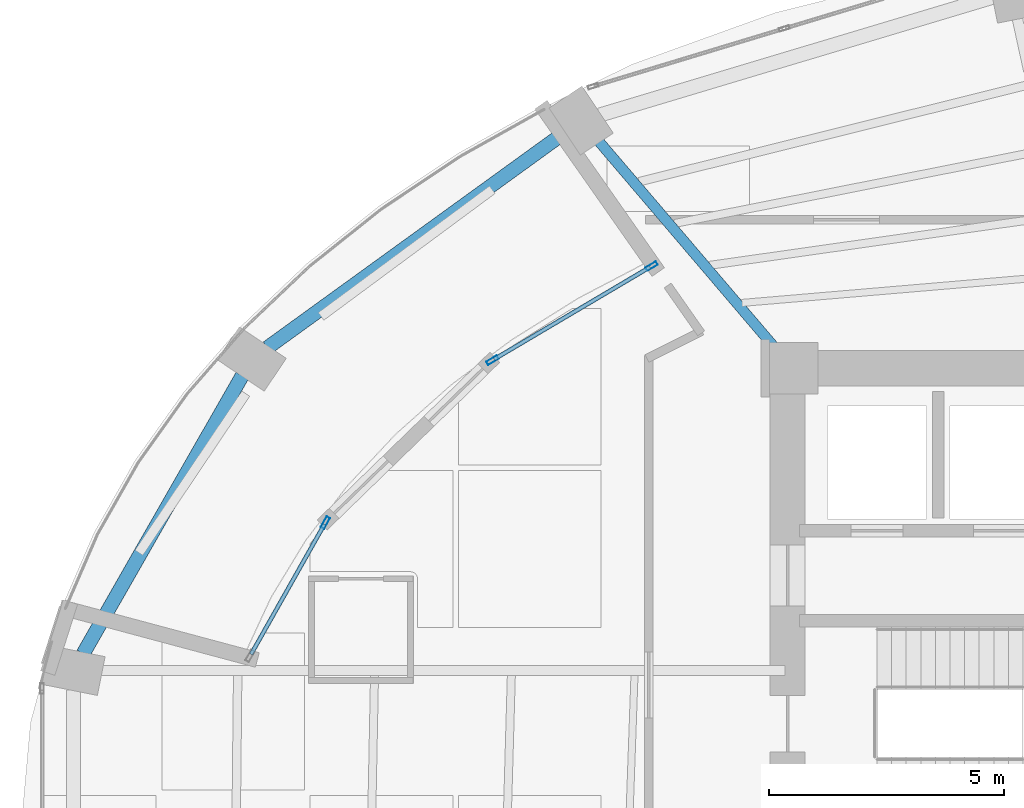
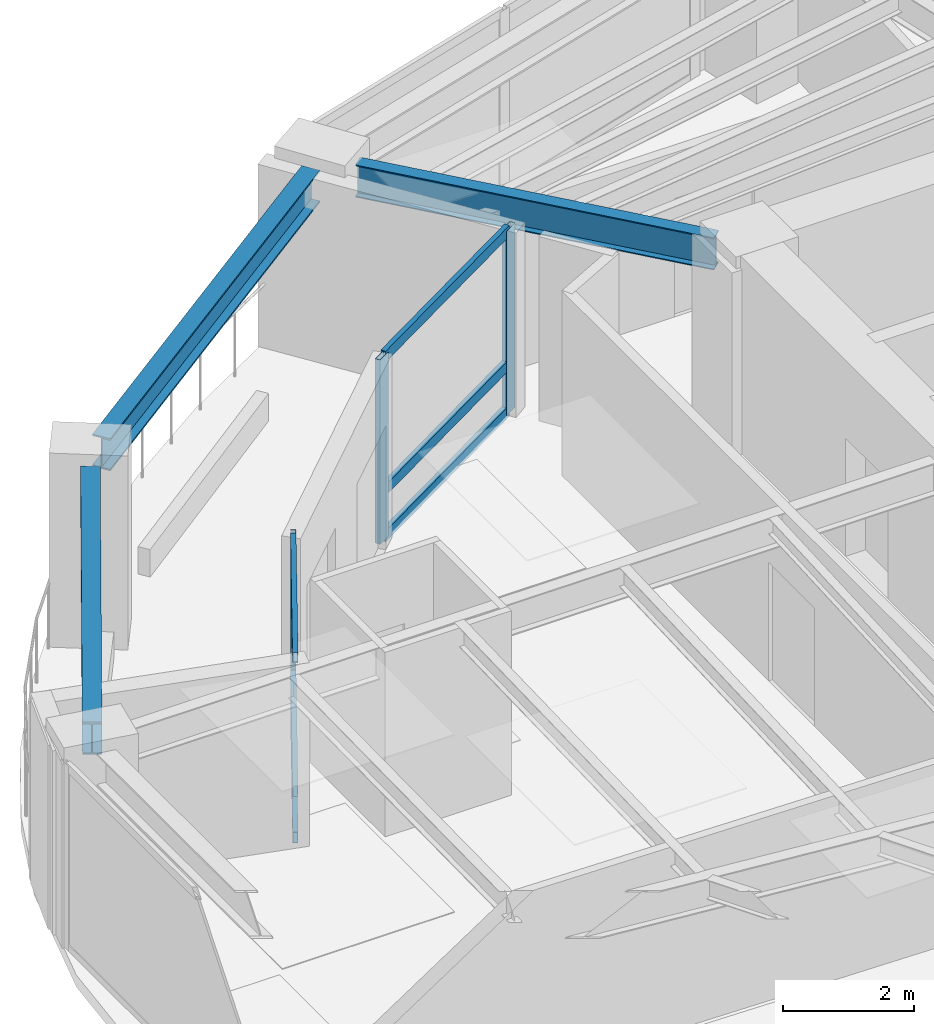
# One storey, part 9 of 24: 9 members, 3 beams, 2 elements without a shape of their own.
"""IFC4 building model written with IfcOpenShell, lengths in metres."""

from ifc_helpers import new_model, si_unit, direction, frame, origin, origin_2d, place, context, subcontext, project, spatial, hollow_rectangle, i_section, extrude, material, layer, layer_set, material_profile, profile_set, type_object, element, aggregate, save


model = new_model("IFC4")

# Units and contexts
model_context = context("Model", 3, precision=1e-05, world=origin(), true_north=direction((0.0, 1.0)))
body_context = subcontext(model_context, "Body", "Model", "MODEL_VIEW")
ifc_project = project(units=[si_unit("LENGTHUNIT", "METRE"), si_unit("AREAUNIT", "SQUARE_METRE"), si_unit("VOLUMEUNIT", "CUBIC_METRE"), si_unit("PLANEANGLEUNIT", "RADIAN"), si_unit("MASSUNIT", "GRAM", prefix="KILO")], contexts=[model_context])

# Site, building, storey
site_placement = place(None, origin())
site = spatial("IfcSite", under=ifc_project, at=site_placement, CompositionType="ELEMENT")
building_placement = place(site_placement, origin())
building = spatial("IfcBuilding", under=site, at=building_placement, Name="Lazwardi Medical Tower", CompositionType="ELEMENT")
storey_placement = place(building_placement, frame((0.0, 0.0, 110.927978515625)))
storey = spatial("IfcBuildingStorey", under=building, at=storey_placement, Name="L28", CompositionType="ELEMENT", Elevation=110.927978515625)

# Beams
ifc_material_1 = material(Name="Steel S355", Category="steel")
ifc_material_profile_1 = material_profile(ifc_material_1, i_section(OverallWidth=0.300048828125, OverallDepth=0.60009765625, WebThickness=0.015380859375, FlangeThickness=0.030029296875, at=origin_2d()), Name="HEB 600")
ifc_profile_set_1 = profile_set([ifc_material_profile_1], Name="Steel S355")
beam_type_1 = type_object("IfcBeamType", Name="BM-RB-Z2", PredefinedType="BEAM", material=ifc_profile_set_1)
beam_1_placement = place(storey_placement, frame((21.584228515625, 40.6171875, 3.1279296875), z_axis=(-0.810041907649, -0.586371987609, 0.0), x_axis=(0.586371987609, -0.810041907649, 0.0)))
element("IfcBeam", 1, at=beam_1_placement, inside=storey, type_object=beam_type_1, Name="Ring beam RB-03 B10 L28", PredefinedType="BEAM", context=body_context, shape_type="SweptSolid", body=[
    extrude(i_section(OverallWidth=0.300048828125, OverallDepth=0.60009765625, WebThickness=0.015380859375, FlangeThickness=0.030029296875, at=origin_2d()), origin(), (0.0, 0.0, 1.0), 7.814208984375),
])
beam_2_placement = place(storey_placement, frame((14.718505859375, 35.438720703125, 3.1279296875), z_axis=(-0.496653025517, -0.867949176072, 0.0), x_axis=(0.867949176072, -0.496653025517, 0.0)))
element("IfcBeam", 2, at=beam_2_placement, inside=storey, type_object=beam_type_1, Name="Ring beam RB-03 B11 L28", PredefinedType="BEAM", context=body_context, shape_type="SweptSolid", body=[
    extrude(i_section(OverallWidth=0.300048828125, OverallDepth=0.60009765625, WebThickness=0.015380859375, FlangeThickness=0.030029296875, at=origin_2d()), origin(), (0.0, 0.0, 1.0), 6.80078125),
])
ifc_material_profile_2 = material_profile(ifc_material_1, i_section(OverallWidth=0.219970703125, OverallDepth=0.60009765625, WebThickness=0.011962890625, FlangeThickness=0.01904296875, at=origin_2d()), Name="IPE 600")
ifc_profile_set_2 = profile_set([ifc_material_profile_2], Name="Steel S355")
beam_type_2 = type_object("IfcBeamType", Name="BM-RG-W1", PredefinedType="BEAM", material=ifc_profile_set_2)
beam_3_placement = place(storey_placement, frame((22.292724609375, 40.416259765625, 3.1279296875), z_axis=(0.648870567436, -0.760898801889, 0.0), x_axis=(0.760898801889, 0.648870567436, 0.0)))
element("IfcBeam", 3, at=beam_3_placement, inside=storey, type_object=beam_type_2, Name="Radial girder RG-02 R10 L28", PredefinedType="BEAM", context=body_context, shape_type="SweptSolid", body=[
    extrude(i_section(OverallWidth=0.219970703125, OverallDepth=0.60009765625, WebThickness=0.011962890625, FlangeThickness=0.01904296875, at=origin_2d()), origin(), (0.0, 0.0, 1.0), 5.794677734375),
])

# Curtain wall, members
ifc_material_2 = material(Name="Anodised bronze aluminium and solar control glazing", Category="aluminium")
ifc_layer = layer(ifc_material_2, 0.239990234375)
ifc_layer_set = layer_set([ifc_layer], Name="Anodised bronze aluminium and solar control glazing")
curtain_wall_type = type_object("IfcCurtainWallType", Name="CW-SYS-05", PredefinedType="NOTDEFINED", material=ifc_layer_set)
curtain_wall_1_placement = place(storey_placement, origin())
curtain_wall_1 = element("IfcCurtainWall", 4, at=curtain_wall_1_placement, inside=storey, type_object=curtain_wall_type, Name="L28 Unitised bronze curtain wall CW-05", PredefinedType="NOTDEFINED")
ifc_material_3 = material(Name="Anodised bronze aluminium", Category="aluminium")
ifc_material_profile_3 = material_profile(ifc_material_3, hollow_rectangle(XDim=0.0849609375, YDim=0.260009765625, WallThickness=0.0048828125, at=origin_2d()), Name="ALU-MULLION 260x85x5")
ifc_profile_set_3 = profile_set([ifc_material_profile_3], Name="Anodised bronze aluminium")
member_type_1 = type_object("IfcMemberType", Name="CW-MUL-02", PredefinedType="MULLION", material=ifc_profile_set_3)
member_1_placement = place(storey_placement, frame((23.41357421875, 37.767333984375, 0.0), z_axis=(0.0, 0.0, 1.0), x_axis=(0.508918324488, -0.860814811095, 0.0)))
member_1 = element("IfcMember", 5, at=member_1_placement, type_object=member_type_1, Name="CW-05 mullion 1", PredefinedType="MULLION", context=body_context, shape_type="SweptSolid", body=[
    extrude(hollow_rectangle(XDim=0.0849609375, YDim=0.260009765625, WallThickness=0.0048828125, at=origin_2d()), origin(), (0.0, 0.0, 1.0), 3.427978515625),
])
member_2_placement = place(storey_placement, frame((20.03466796875, 35.769775390625, 0.0), z_axis=(0.0, 0.0, 1.0), x_axis=(0.508918324488, -0.860814811095, 0.0)))
member_2 = element("IfcMember", 6, at=member_2_placement, type_object=member_type_1, Name="CW-05 mullion 2", PredefinedType="MULLION", context=body_context, shape_type="SweptSolid", body=[
    extrude(hollow_rectangle(XDim=0.0849609375, YDim=0.260009765625, WallThickness=0.0048828125, at=origin_2d()), origin(), (0.0, 0.0, 1.0), 3.427978515625),
])

# Curtain wall, member
curtain_wall_2_placement = place(storey_placement, origin())
curtain_wall_2 = element("IfcCurtainWall", 7, at=curtain_wall_2_placement, inside=storey, type_object=curtain_wall_type, Name="L28 Unitised bronze curtain wall CW-05", PredefinedType="NOTDEFINED")
member_3_placement = place(storey_placement, frame((16.48388671875, 32.318359375, 0.0), z_axis=(0.0, 0.0, 1.0), x_axis=(0.870845840727, -0.491556224341, 0.0)))
member_3 = element("IfcMember", 8, at=member_3_placement, type_object=member_type_1, Name="CW-05 mullion 1", PredefinedType="MULLION", context=body_context, shape_type="SweptSolid", body=[
    extrude(hollow_rectangle(XDim=0.0849609375, YDim=0.260009765625, WallThickness=0.0048828125, at=origin_2d()), origin(), (0.0, 0.0, 1.0), 3.427978515625),
])

# Member
ifc_material_profile_4 = material_profile(ifc_material_3, hollow_rectangle(XDim=0.0849609375, YDim=0.199951171875, WallThickness=0.00439453125, at=origin_2d()), Name="ALU-TRANSOM 200x85x4.5")
ifc_profile_set_4 = profile_set([ifc_material_profile_4], Name="Anodised bronze aluminium")
member_type_2 = type_object("IfcMemberType", Name="CW-TRN-02", PredefinedType="USERDEFINED", material=ifc_profile_set_4)
member_4_placement = place(storey_placement, frame((23.376953125, 37.745849609375, 0.04248046875), z_axis=(-0.86078474446, -0.508969177559, 0.0), x_axis=(0.508969177559, -0.86078474446, 0.0)))
member_4 = element("IfcMember", 9, at=member_4_placement, type_object=member_type_2, Name="CW-05 transom 1.1", ObjectType="TRANSOM", PredefinedType="USERDEFINED", context=body_context, shape_type="SweptSolid", body=[
    extrude(hollow_rectangle(XDim=0.0849609375, YDim=0.199951171875, WallThickness=0.00439453125, at=origin_2d()), origin(), (0.0, 0.0, 1.0), 3.84033203125),
])

member_5_placement = place(storey_placement, frame((23.376953125, 37.745849609375, 0.89990234375), z_axis=(-0.86078474446, -0.508969177559, 0.0), x_axis=(0.508969177559, -0.86078474446, 0.0)))
member_5 = element("IfcMember", 10, at=member_5_placement, type_object=member_type_2, Name="CW-05 transom 1.2", ObjectType="TRANSOM", PredefinedType="USERDEFINED", context=body_context, shape_type="SweptSolid", body=[
    extrude(hollow_rectangle(XDim=0.0849609375, YDim=0.199951171875, WallThickness=0.00439453125, at=origin_2d()), origin(), (0.0, 0.0, 1.0), 3.84033203125),
])

member_6_placement = place(storey_placement, frame((23.376953125, 37.745849609375, 3.385498046875), z_axis=(-0.86078474446, -0.508969177559, 0.0), x_axis=(0.508969177559, -0.86078474446, 0.0)))
member_6 = element("IfcMember", 11, at=member_6_placement, type_object=member_type_2, Name="CW-05 transom 1.3", ObjectType="TRANSOM", PredefinedType="USERDEFINED", context=body_context, shape_type="SweptSolid", body=[
    extrude(hollow_rectangle(XDim=0.0849609375, YDim=0.199951171875, WallThickness=0.00439453125, at=origin_2d()), origin(), (0.0, 0.0, 1.0), 3.84033203125),
])

aggregate(curtain_wall_1, [member_1, member_2, member_4, member_5, member_6])

member_7_placement = place(storey_placement, frame((16.463134765625, 32.281494140625, 0.04248046875), z_axis=(-0.491571725412, -0.870837090836, 0.0), x_axis=(0.870837090836, -0.491571725412, 0.0)))
member_7 = element("IfcMember", 12, at=member_7_placement, type_object=member_type_2, Name="CW-05 transom 1.1", ObjectType="TRANSOM", PredefinedType="USERDEFINED", context=body_context, shape_type="SweptSolid", body=[
    extrude(hollow_rectangle(XDim=0.0849609375, YDim=0.199951171875, WallThickness=0.00439453125, at=origin_2d()), origin(), (0.0, 0.0, 1.0), 3.165283203125),
])

member_8_placement = place(storey_placement, frame((16.463134765625, 32.281494140625, 0.89990234375), z_axis=(-0.491571725412, -0.870837090836, 0.0), x_axis=(0.870837090836, -0.491571725412, 0.0)))
member_8 = element("IfcMember", 13, at=member_8_placement, type_object=member_type_2, Name="CW-05 transom 1.2", ObjectType="TRANSOM", PredefinedType="USERDEFINED", context=body_context, shape_type="SweptSolid", body=[
    extrude(hollow_rectangle(XDim=0.0849609375, YDim=0.199951171875, WallThickness=0.00439453125, at=origin_2d()), origin(), (0.0, 0.0, 1.0), 3.165283203125),
])

member_9_placement = place(storey_placement, frame((16.463134765625, 32.281494140625, 3.385498046875), z_axis=(-0.491571725412, -0.870837090836, 0.0), x_axis=(0.870837090836, -0.491571725412, 0.0)))
member_9 = element("IfcMember", 14, at=member_9_placement, type_object=member_type_2, Name="CW-05 transom 1.3", ObjectType="TRANSOM", PredefinedType="USERDEFINED", context=body_context, shape_type="SweptSolid", body=[
    extrude(hollow_rectangle(XDim=0.0849609375, YDim=0.199951171875, WallThickness=0.00439453125, at=origin_2d()), origin(), (0.0, 0.0, 1.0), 3.165283203125),
])

aggregate(curtain_wall_2, [member_3, member_7, member_8, member_9])

save(model, "model.ifc")
